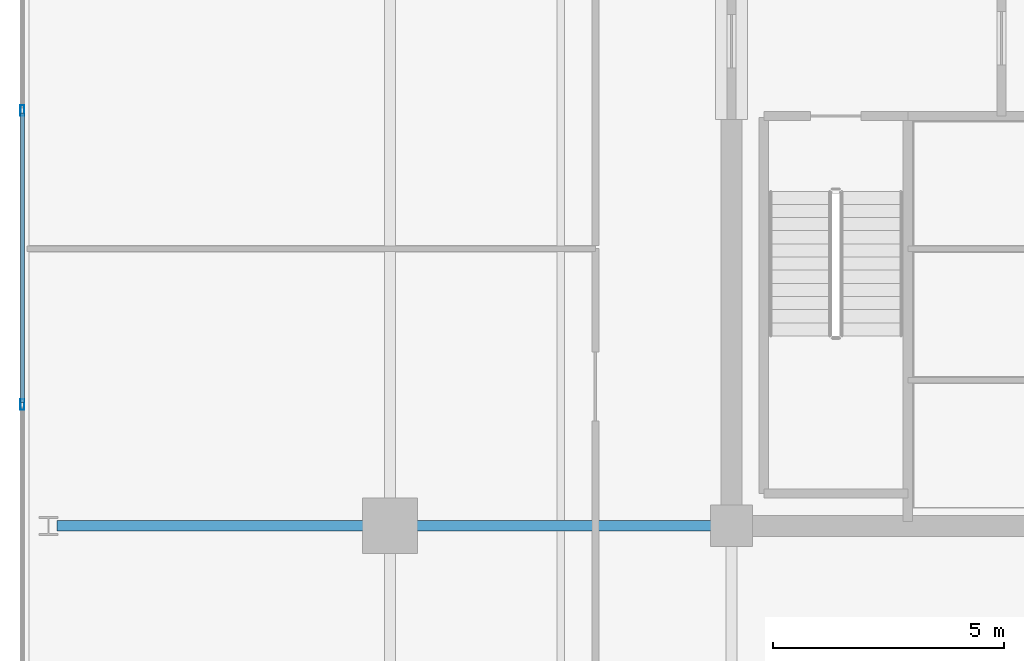
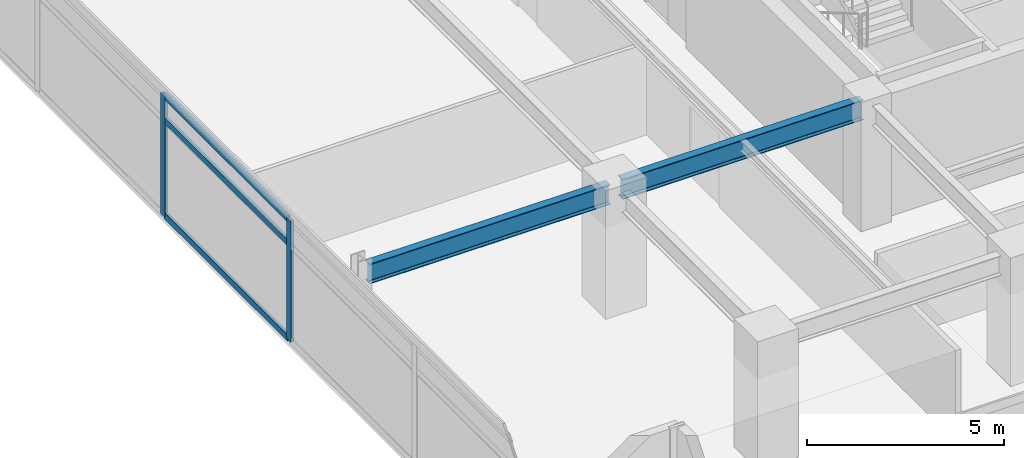
# One storey, part 4 of 24: 5 members, 2 beams, 1 element without a shape of its own.
"""IFC4 building model written with IfcOpenShell, lengths in metres."""

from ifc_helpers import new_model, si_unit, direction, frame, origin, origin_2d, place, context, subcontext, project, spatial, hollow_rectangle, i_section, extrude, material, material_profile, profile_set, type_object, element, aggregate, save


model = new_model("IFC4")

# Units and contexts
model_context = context("Model", 3, precision=1e-05, world=origin(), true_north=direction((0.0, 1.0)))
body_context = subcontext(model_context, "Body", "Model", "MODEL_VIEW")
ifc_project = project(units=[si_unit("LENGTHUNIT", "METRE"), si_unit("AREAUNIT", "SQUARE_METRE"), si_unit("VOLUMEUNIT", "CUBIC_METRE"), si_unit("PLANEANGLEUNIT", "RADIAN"), si_unit("MASSUNIT", "GRAM", prefix="KILO")], contexts=[model_context])

# Site, building, storey
site_placement = place(None, origin())
site = spatial("IfcSite", under=ifc_project, at=site_placement, CompositionType="ELEMENT")
building_placement = place(site_placement, origin())
building = spatial("IfcBuilding", under=site, at=building_placement, Name="Kovane Verandah Tower", CompositionType="ELEMENT")
storey_placement = place(building_placement, frame((0.0, 0.0, 259.199951171875)))
storey = spatial("IfcBuildingStorey", under=building, at=storey_placement, Name="L60", CompositionType="ELEMENT", Elevation=259.199951171875)

# Beams
ifc_material_1 = material(Name="Steel S355", Category="steel")
ifc_material_profile_1 = material_profile(ifc_material_1, i_section(OverallWidth=0.230224609375, OverallDepth=0.6171875, WebThickness=0.01318359375, FlangeThickness=0.022216796875, FilletRadius=0.0126953125, at=origin_2d()), Name="UB610x229x140")
ifc_profile_set_1 = profile_set([ifc_material_profile_1], Name="Steel S355")
beam_type = type_object("IfcBeamType", Name="BM-UB610x140", PredefinedType="BEAM", material=ifc_profile_set_1)
for number, where, z_axis, x_axis, name in (
    (1, (28.820068359375, 18.5, 3.4765625), (-1.0, 0.0, 0.0), (0.0, -1.0, 0.0), "L60 Primary Tower Girder G-W1"),
    (2, (21.419921875, 18.5, 3.451416015625), (-1.0, 0.0, 0.0), (0.0, -1.0, 0.0), "L60 Primary Tower Girder G-VW1"),
):
    element("IfcBeam", number, at=place(storey_placement, frame(where, z_axis=z_axis, x_axis=x_axis)), inside=storey, type_object=beam_type, Name=name, PredefinedType="BEAM", context=body_context, shape_type="SweptSolid", body=[
        extrude(i_section(OverallWidth=0.230224609375, OverallDepth=0.6171875, WebThickness=0.01318359375, FlangeThickness=0.022216796875, FilletRadius=0.0126953125, at=origin_2d()), origin(), (0.0, 0.0, 1.0), 7.0400390625),
    ])

# Curtain wall, members
ifc_material_2 = material(Name="Champagne Anodised Aluminium Frame with Low-E Clear Laminated Glass", Category="aluminium")
curtain_wall_type = type_object("IfcCurtainWallType", Name="CW-SYS-05-HIGH", PredefinedType="NOTDEFINED", material=ifc_material_2)
curtain_wall_placement = place(storey_placement, origin())
curtain_wall = element("IfcCurtainWall", 3, at=curtain_wall_placement, inside=storey, type_object=curtain_wall_type, Name="L60 W Unitised Curtain Wall", PredefinedType="NOTDEFINED")
ifc_material_3 = material(Name="Champagne Anodised Aluminium 6063-T6", Category="aluminium")
ifc_material_profile_2 = material_profile(ifc_material_3, hollow_rectangle(XDim=0.0849609375, YDim=0.22998046875, WallThickness=0.00390625, at=origin_2d()), Name="AL85x230x4")
ifc_profile_set_2 = profile_set([ifc_material_profile_2], Name="Champagne Anodised Aluminium 6063-T6")
member_type_1 = type_object("IfcMemberType", Name="CW-MUL-85x230", PredefinedType="MULLION", material=ifc_profile_set_2)
member_1_placement = place(storey_placement, frame((13.633544921875, 27.5, 0.02001953125), z_axis=(0.0, 0.0, 1.0), x_axis=(-1.0, 0.0, 0.0)))
member_1 = element("IfcMember", 4, at=member_1_placement, type_object=member_type_1, Name="L60 W Unitised Curtain Wall Mullion 4", PredefinedType="MULLION", context=body_context, shape_type="SweptSolid", body=[
    extrude(hollow_rectangle(XDim=0.0849609375, YDim=0.22998046875, WallThickness=0.00390625, at=origin_2d()), origin(), (0.0, 0.0, 1.0), 3.7451171875),
])
member_2_placement = place(storey_placement, frame((13.633544921875, 21.127197265625, 0.02001953125), z_axis=(0.0, 0.0, 1.0), x_axis=(-1.0, 0.0, 0.0)))
member_2 = element("IfcMember", 5, at=member_2_placement, type_object=member_type_1, Name="L60 W Unitised Curtain Wall Mullion 5", PredefinedType="MULLION", context=body_context, shape_type="SweptSolid", body=[
    extrude(hollow_rectangle(XDim=0.0849609375, YDim=0.22998046875, WallThickness=0.00390625, at=origin_2d()), origin(), (0.0, 0.0, 1.0), 3.7451171875),
])
ifc_material_profile_3 = material_profile(ifc_material_3, hollow_rectangle(XDim=0.0849609375, YDim=0.18994140625, WallThickness=0.00390625, at=origin_2d()), Name="AL85x190x4")
ifc_profile_set_3 = profile_set([ifc_material_profile_3], Name="Champagne Anodised Aluminium 6063-T6")
member_type_2 = type_object("IfcMemberType", Name="CW-TRN-85x190", PredefinedType="USERDEFINED", material=ifc_profile_set_3)
member_3_placement = place(storey_placement, frame((13.633544921875, 27.449951171875, 0.050048828125), z_axis=(0.0, -1.0, 0.0), x_axis=(1.0, 0.0, 0.0)))
member_3 = element("IfcMember", 6, at=member_3_placement, type_object=member_type_2, Name="L60 W Unitised Curtain Wall Transom TB Bay 4", ObjectType="TRANSOM", PredefinedType="USERDEFINED", context=body_context, shape_type="SweptSolid", body=[
    extrude(hollow_rectangle(XDim=0.0849609375, YDim=0.18994140625, WallThickness=0.00390625, at=origin_2d()), origin(), (0.0, 0.0, 1.0), 6.272705078125),
])
member_4_placement = place(storey_placement, frame((13.633544921875, 27.449951171875, 3.005126953125), z_axis=(0.0, -1.0, 0.0), x_axis=(1.0, 0.0, 0.0)))
member_4 = element("IfcMember", 7, at=member_4_placement, type_object=member_type_2, Name="L60 W Unitised Curtain Wall Transom TM Bay 4", ObjectType="TRANSOM", PredefinedType="USERDEFINED", context=body_context, shape_type="SweptSolid", body=[
    extrude(hollow_rectangle(XDim=0.0849609375, YDim=0.18994140625, WallThickness=0.00390625, at=origin_2d()), origin(), (0.0, 0.0, 1.0), 6.272705078125),
])
member_5_placement = place(storey_placement, frame((13.633544921875, 27.449951171875, 3.735107421875), z_axis=(0.0, -1.0, 0.0), x_axis=(1.0, 0.0, 0.0)))
member_5 = element("IfcMember", 8, at=member_5_placement, type_object=member_type_2, Name="L60 W Unitised Curtain Wall Transom TT Bay 4", ObjectType="TRANSOM", PredefinedType="USERDEFINED", context=body_context, shape_type="SweptSolid", body=[
    extrude(hollow_rectangle(XDim=0.0849609375, YDim=0.18994140625, WallThickness=0.00390625, at=origin_2d()), origin(), (0.0, 0.0, 1.0), 6.272705078125),
])
aggregate(curtain_wall, [member_1, member_2, member_3, member_4, member_5])

save(model, "model.ifc")
